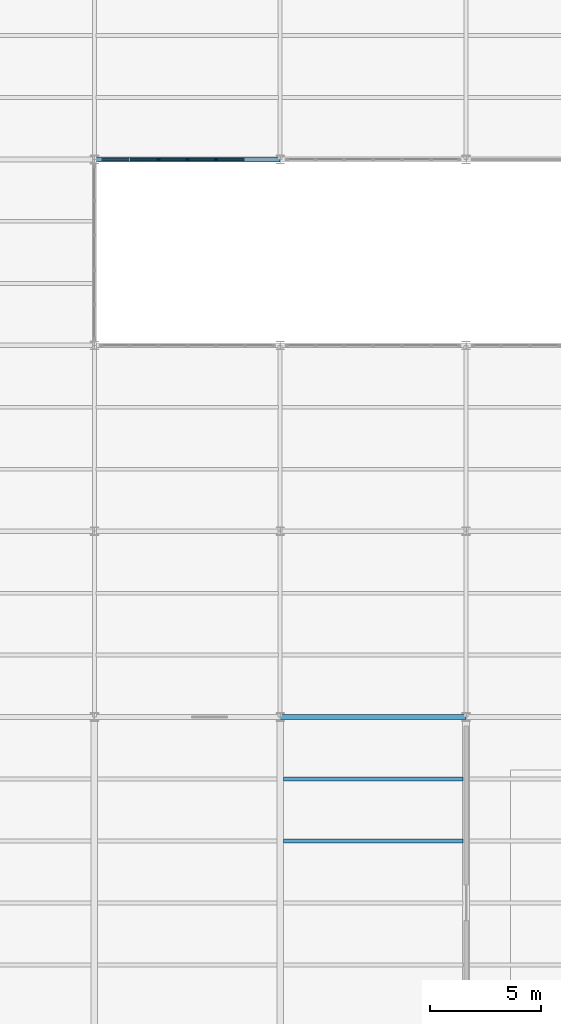
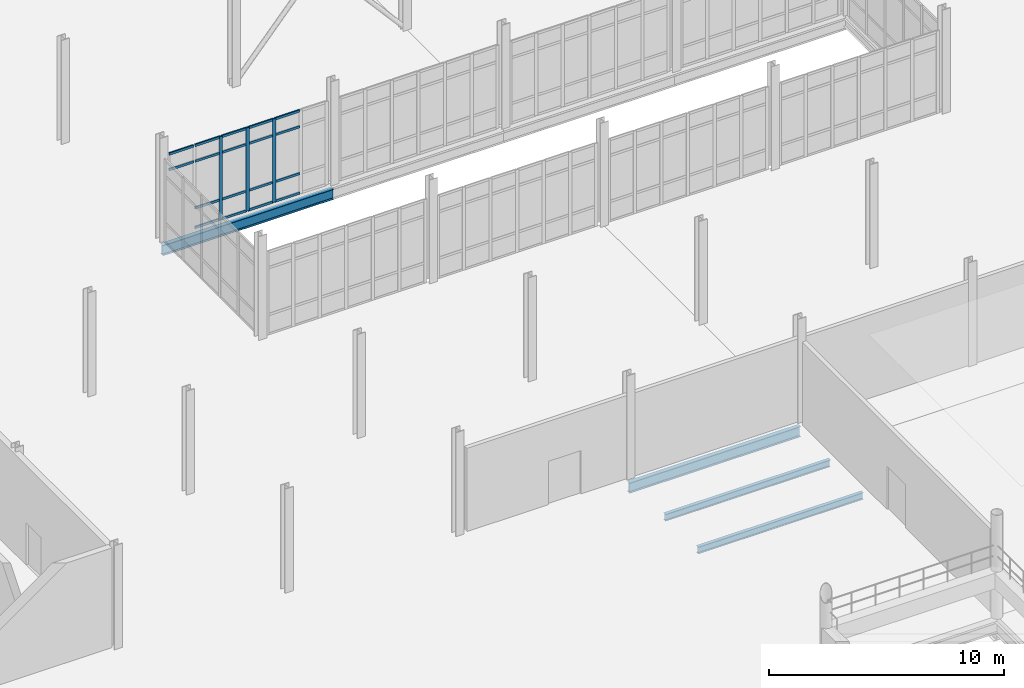
# One storey, part 31 of 111: 21 members, 4 beams, 1 element without a shape of its own.
"""IFC4 building model written with IfcOpenShell, lengths in metres."""

from ifc_helpers import new_model, si_unit, direction, frame, origin, origin_2d, place, context, subcontext, project, spatial, rectangle, i_section, extrude, material, layer, layer_set, material_profile, profile_set, type_object, element, aggregate, save


model = new_model("IFC4")

# Units and contexts
model_context = context("Model", 3, precision=1e-05, world=origin(), true_north=direction((0.0, 1.0)))
body_context = subcontext(model_context, "Body", "Model", "MODEL_VIEW")
ifc_project = project(units=[si_unit("LENGTHUNIT", "METRE"), si_unit("AREAUNIT", "SQUARE_METRE"), si_unit("VOLUMEUNIT", "CUBIC_METRE"), si_unit("PLANEANGLEUNIT", "RADIAN"), si_unit("MASSUNIT", "GRAM", prefix="KILO"), si_unit("THERMODYNAMICTEMPERATUREUNIT", "KELVIN"), si_unit("POWERUNIT", "WATT")], contexts=[model_context])

# Site, building, storey
site_placement = place(None, origin())
site = spatial("IfcSite", under=ifc_project, at=site_placement, CompositionType="ELEMENT")
building_placement = place(site_placement, origin())
building = spatial("IfcBuilding", under=site, at=building_placement, Name="Tembeka Court Mobility Hub", CompositionType="ELEMENT")
storey_placement = place(building_placement, origin())
storey = spatial("IfcBuildingStorey", under=building, at=storey_placement, Name="L00", CompositionType="ELEMENT", Elevation=0.0)

# Beams
ifc_material_1 = material(Name="Steel S355", Category="steel")
ifc_material_profile_1 = material_profile(ifc_material_1, i_section(OverallWidth=0.2099609375, OverallDepth=0.537109375, WebThickness=0.0107421875, FlangeThickness=0.017333984375, FilletRadius=0.0126953125, at=origin_2d()), Name="UKB 533x210x101")
ifc_profile_set_1 = profile_set([ifc_material_profile_1], Name="Steel S355")
beam_type_1 = type_object("IfcBeamType", Name="BM-G03", PredefinedType="USERDEFINED", material=ifc_profile_set_1)
beam_1_placement = place(storey_placement, frame((33.60009765625, 38.39990234375, -0.548583984375), z_axis=(1.0, 0.0, 0.0), x_axis=(0.0, 1.0, 0.0)))
element("IfcBeam", 1, at=beam_1_placement, inside=storey, type_object=beam_type_1, Name="Beam G03 (BM-L00-X0045)", ObjectType="GIRDER", PredefinedType="USERDEFINED", context=body_context, shape_type="SweptSolid", body=[
    extrude(i_section(OverallWidth=0.2099609375, OverallDepth=0.537109375, WebThickness=0.0107421875, FlangeThickness=0.017333984375, FilletRadius=0.0126953125, at=origin_2d()), origin(), (0.0, 0.0, 1.0), 8.39990234375),
])
beam_2_placement = place(storey_placement, frame((25.199951171875, 63.60009765625, -0.548583984375), z_axis=(1.0, 0.0, 0.0), x_axis=(0.0, 1.0, 0.0)))
element("IfcBeam", 2, at=beam_2_placement, inside=storey, type_object=beam_type_1, Name="Beam G03 (BM-L00-X0093)", ObjectType="GIRDER", PredefinedType="USERDEFINED", context=body_context, shape_type="SweptSolid", body=[
    extrude(i_section(OverallWidth=0.2099609375, OverallDepth=0.537109375, WebThickness=0.0107421875, FlangeThickness=0.017333984375, FilletRadius=0.0126953125, at=origin_2d()), origin(), (0.0, 0.0, 1.0), 8.400146484375),
])
ifc_material_profile_2 = material_profile(ifc_material_1, i_section(OverallWidth=0.172119140625, OverallDepth=0.35498046875, WebThickness=0.00732421875, FlangeThickness=0.011474609375, FilletRadius=0.01025390625, at=origin_2d()), Name="UKB 356x171x51")
ifc_profile_set_2 = profile_set([ifc_material_profile_2], Name="Steel S355")
beam_type_2 = type_object("IfcBeamType", Name="BM-J01", PredefinedType="JOIST", material=ifc_profile_set_2)
for number, where, z_axis, x_axis, name in (
    (3, (33.7451171875, 32.800048828125, -0.45751953125), (1.0, 0.0, 0.0), (0.0, 1.0, 0.0), "Beam J01 (JST-L00-0399)"),
    (4, (33.7451171875, 35.60009765625, -0.45751953125), (1.0, 0.0, 0.0), (0.0, 1.0, 0.0), "Beam J01 (JST-L00-0400)"),
):
    element("IfcBeam", number, at=place(storey_placement, frame(where, z_axis=z_axis, x_axis=x_axis)), inside=storey, type_object=beam_type_2, Name=name, PredefinedType="JOIST", context=body_context, shape_type="SweptSolid", body=[
        extrude(i_section(OverallWidth=0.172119140625, OverallDepth=0.35498046875, WebThickness=0.00732421875, FlangeThickness=0.011474609375, FilletRadius=0.01025390625, at=origin_2d()), origin(), (0.0, 0.0, 1.0), 8.10986328125),
    ])

# Curtain wall, members
ifc_material_2 = material(Name="Anodised aluminium 6063-T6", Category="aluminium")
ifc_layer = layer(ifc_material_2, 0.159912109375)
ifc_layer_set = layer_set([ifc_layer], Name="Anodised aluminium 6063-T6")
curtain_wall_type = type_object("IfcCurtainWallType", Name="CW-SYS01", PredefinedType="USERDEFINED", material=ifc_layer_set)
curtain_wall_placement = place(storey_placement, origin())
curtain_wall = element("IfcCurtainWall", 5, at=curtain_wall_placement, inside=storey, type_object=curtain_wall_type, Name="Unitised curtain wall CW01 (CW-L00-036)", ObjectType="UNITISED GLAZING", PredefinedType="USERDEFINED")
ifc_material_profile_3 = material_profile(ifc_material_2, rectangle(XDim=0.06494140625, YDim=0.159912109375, at=origin_2d()), Name="ALU-MUL 65x160")
ifc_profile_set_3 = profile_set([ifc_material_profile_3], Name="Anodised aluminium 6063-T6")
member_type_1 = type_object("IfcMemberType", Name="CW-MUL01", PredefinedType="MULLION", material=ifc_profile_set_3)
member_1_placement = place(storey_placement, frame((28.09326171875, 63.60009765625, 0.0), z_axis=(0.0, 0.0, 1.0), x_axis=(0.0, 1.0, 0.0)))
member_1 = element("IfcMember", 6, at=member_1_placement, type_object=member_type_1, Name="CW01 mullion 3", PredefinedType="MULLION", context=body_context, shape_type="SweptSolid", body=[
    extrude(rectangle(XDim=0.06494140625, YDim=0.159912109375, at=origin_2d()), origin(), (0.0, 0.0, 1.0), 4.3349609375),
])
member_2_placement = place(storey_placement, frame((29.39990234375, 63.60009765625, 0.0), z_axis=(0.0, 0.0, 1.0), x_axis=(0.0, 1.0, 0.0)))
member_2 = element("IfcMember", 7, at=member_2_placement, type_object=member_type_1, Name="CW01 mullion 4", PredefinedType="MULLION", context=body_context, shape_type="SweptSolid", body=[
    extrude(rectangle(XDim=0.06494140625, YDim=0.159912109375, at=origin_2d()), origin(), (0.0, 0.0, 1.0), 4.3349609375),
])
member_3_placement = place(storey_placement, frame((30.706787109375, 63.60009765625, 0.0), z_axis=(0.0, 0.0, 1.0), x_axis=(0.0, 1.0, 0.0)))
member_3 = element("IfcMember", 8, at=member_3_placement, type_object=member_type_1, Name="CW01 mullion 5", PredefinedType="MULLION", context=body_context, shape_type="SweptSolid", body=[
    extrude(rectangle(XDim=0.06494140625, YDim=0.159912109375, at=origin_2d()), origin(), (0.0, 0.0, 1.0), 4.3349609375),
])
ifc_material_profile_4 = material_profile(ifc_material_2, rectangle(XDim=0.06494140625, YDim=0.1201171875, at=origin_2d()), Name="ALU-TRN 65x120")
ifc_profile_set_4 = profile_set([ifc_material_profile_4], Name="Anodised aluminium 6063-T6")
member_type_2 = type_object("IfcMemberType", Name="CW-TRN01", PredefinedType="USERDEFINED", material=ifc_profile_set_4)
member_4_placement = place(storey_placement, frame((25.544921875, 63.60009765625, 3.485107421875), z_axis=(1.0, 0.0, 0.0), x_axis=(0.0, 1.0, 0.0)))
member_4 = element("IfcMember", 9, at=member_4_placement, type_object=member_type_2, Name="CW01 transom 1.3", ObjectType="TRANSOM", PredefinedType="USERDEFINED", context=body_context, shape_type="SweptSolid", body=[
    extrude(rectangle(XDim=0.06494140625, YDim=0.1201171875, at=origin_2d()), origin(), (0.0, 0.0, 1.0), 1.209228515625),
])
member_5_placement = place(storey_placement, frame((25.544921875, 63.60009765625, 4.302490234375), z_axis=(1.0, 0.0, 0.0), x_axis=(0.0, 1.0, 0.0)))
member_5 = element("IfcMember", 10, at=member_5_placement, type_object=member_type_2, Name="CW01 transom 1.4", ObjectType="TRANSOM", PredefinedType="USERDEFINED", context=body_context, shape_type="SweptSolid", body=[
    extrude(rectangle(XDim=0.06494140625, YDim=0.1201171875, at=origin_2d()), origin(), (0.0, 0.0, 1.0), 1.209228515625),
])
member_6_placement = place(storey_placement, frame((26.819091796875, 63.60009765625, 0.032470703125), z_axis=(1.0, 0.0, 0.0), x_axis=(0.0, 1.0, 0.0)))
member_6 = element("IfcMember", 11, at=member_6_placement, type_object=member_type_2, Name="CW01 transom 2.1", ObjectType="TRANSOM", PredefinedType="USERDEFINED", context=body_context, shape_type="SweptSolid", body=[
    extrude(rectangle(XDim=0.06494140625, YDim=0.1201171875, at=origin_2d()), origin(), (0.0, 0.0, 1.0), 1.24169921875),
])
member_7_placement = place(storey_placement, frame((26.819091796875, 63.60009765625, 1.050048828125), z_axis=(1.0, 0.0, 0.0), x_axis=(0.0, 1.0, 0.0)))
member_7 = element("IfcMember", 12, at=member_7_placement, type_object=member_type_2, Name="CW01 transom 2.2", ObjectType="TRANSOM", PredefinedType="USERDEFINED", context=body_context, shape_type="SweptSolid", body=[
    extrude(rectangle(XDim=0.06494140625, YDim=0.1201171875, at=origin_2d()), origin(), (0.0, 0.0, 1.0), 1.24169921875),
])
member_8_placement = place(storey_placement, frame((26.819091796875, 63.60009765625, 3.485107421875), z_axis=(1.0, 0.0, 0.0), x_axis=(0.0, 1.0, 0.0)))
member_8 = element("IfcMember", 13, at=member_8_placement, type_object=member_type_2, Name="CW01 transom 2.3", ObjectType="TRANSOM", PredefinedType="USERDEFINED", context=body_context, shape_type="SweptSolid", body=[
    extrude(rectangle(XDim=0.06494140625, YDim=0.1201171875, at=origin_2d()), origin(), (0.0, 0.0, 1.0), 1.24169921875),
])
member_9_placement = place(storey_placement, frame((26.819091796875, 63.60009765625, 4.302490234375), z_axis=(1.0, 0.0, 0.0), x_axis=(0.0, 1.0, 0.0)))
member_9 = element("IfcMember", 14, at=member_9_placement, type_object=member_type_2, Name="CW01 transom 2.4", ObjectType="TRANSOM", PredefinedType="USERDEFINED", context=body_context, shape_type="SweptSolid", body=[
    extrude(rectangle(XDim=0.06494140625, YDim=0.1201171875, at=origin_2d()), origin(), (0.0, 0.0, 1.0), 1.24169921875),
])
member_10_placement = place(storey_placement, frame((28.125732421875, 63.60009765625, 0.032470703125), z_axis=(1.0, 0.0, 0.0), x_axis=(0.0, 1.0, 0.0)))
member_10 = element("IfcMember", 15, at=member_10_placement, type_object=member_type_2, Name="CW01 transom 3.1", ObjectType="TRANSOM", PredefinedType="USERDEFINED", context=body_context, shape_type="SweptSolid", body=[
    extrude(rectangle(XDim=0.06494140625, YDim=0.1201171875, at=origin_2d()), origin(), (0.0, 0.0, 1.0), 1.24169921875),
])
member_11_placement = place(storey_placement, frame((28.125732421875, 63.60009765625, 1.050048828125), z_axis=(1.0, 0.0, 0.0), x_axis=(0.0, 1.0, 0.0)))
member_11 = element("IfcMember", 16, at=member_11_placement, type_object=member_type_2, Name="CW01 transom 3.2", ObjectType="TRANSOM", PredefinedType="USERDEFINED", context=body_context, shape_type="SweptSolid", body=[
    extrude(rectangle(XDim=0.06494140625, YDim=0.1201171875, at=origin_2d()), origin(), (0.0, 0.0, 1.0), 1.24169921875),
])
member_12_placement = place(storey_placement, frame((28.125732421875, 63.60009765625, 3.485107421875), z_axis=(1.0, 0.0, 0.0), x_axis=(0.0, 1.0, 0.0)))
member_12 = element("IfcMember", 17, at=member_12_placement, type_object=member_type_2, Name="CW01 transom 3.3", ObjectType="TRANSOM", PredefinedType="USERDEFINED", context=body_context, shape_type="SweptSolid", body=[
    extrude(rectangle(XDim=0.06494140625, YDim=0.1201171875, at=origin_2d()), origin(), (0.0, 0.0, 1.0), 1.24169921875),
])
member_13_placement = place(storey_placement, frame((28.125732421875, 63.60009765625, 4.302490234375), z_axis=(1.0, 0.0, 0.0), x_axis=(0.0, 1.0, 0.0)))
member_13 = element("IfcMember", 18, at=member_13_placement, type_object=member_type_2, Name="CW01 transom 3.4", ObjectType="TRANSOM", PredefinedType="USERDEFINED", context=body_context, shape_type="SweptSolid", body=[
    extrude(rectangle(XDim=0.06494140625, YDim=0.1201171875, at=origin_2d()), origin(), (0.0, 0.0, 1.0), 1.24169921875),
])
member_14_placement = place(storey_placement, frame((29.4326171875, 63.60009765625, 0.032470703125), z_axis=(1.0, 0.0, 0.0), x_axis=(0.0, 1.0, 0.0)))
member_14 = element("IfcMember", 19, at=member_14_placement, type_object=member_type_2, Name="CW01 transom 4.1", ObjectType="TRANSOM", PredefinedType="USERDEFINED", context=body_context, shape_type="SweptSolid", body=[
    extrude(rectangle(XDim=0.06494140625, YDim=0.1201171875, at=origin_2d()), origin(), (0.0, 0.0, 1.0), 1.241455078125),
])
member_15_placement = place(storey_placement, frame((29.4326171875, 63.60009765625, 1.050048828125), z_axis=(1.0, 0.0, 0.0), x_axis=(0.0, 1.0, 0.0)))
member_15 = element("IfcMember", 20, at=member_15_placement, type_object=member_type_2, Name="CW01 transom 4.2", ObjectType="TRANSOM", PredefinedType="USERDEFINED", context=body_context, shape_type="SweptSolid", body=[
    extrude(rectangle(XDim=0.06494140625, YDim=0.1201171875, at=origin_2d()), origin(), (0.0, 0.0, 1.0), 1.241455078125),
])
member_16_placement = place(storey_placement, frame((29.4326171875, 63.60009765625, 3.485107421875), z_axis=(1.0, 0.0, 0.0), x_axis=(0.0, 1.0, 0.0)))
member_16 = element("IfcMember", 21, at=member_16_placement, type_object=member_type_2, Name="CW01 transom 4.3", ObjectType="TRANSOM", PredefinedType="USERDEFINED", context=body_context, shape_type="SweptSolid", body=[
    extrude(rectangle(XDim=0.06494140625, YDim=0.1201171875, at=origin_2d()), origin(), (0.0, 0.0, 1.0), 1.241455078125),
])
member_17_placement = place(storey_placement, frame((29.4326171875, 63.60009765625, 4.302490234375), z_axis=(1.0, 0.0, 0.0), x_axis=(0.0, 1.0, 0.0)))
member_17 = element("IfcMember", 22, at=member_17_placement, type_object=member_type_2, Name="CW01 transom 4.4", ObjectType="TRANSOM", PredefinedType="USERDEFINED", context=body_context, shape_type="SweptSolid", body=[
    extrude(rectangle(XDim=0.06494140625, YDim=0.1201171875, at=origin_2d()), origin(), (0.0, 0.0, 1.0), 1.241455078125),
])
member_18_placement = place(storey_placement, frame((30.7392578125, 63.60009765625, 0.032470703125), z_axis=(1.0, 0.0, 0.0), x_axis=(0.0, 1.0, 0.0)))
member_18 = element("IfcMember", 23, at=member_18_placement, type_object=member_type_2, Name="CW01 transom 5.1", ObjectType="TRANSOM", PredefinedType="USERDEFINED", context=body_context, shape_type="SweptSolid", body=[
    extrude(rectangle(XDim=0.06494140625, YDim=0.1201171875, at=origin_2d()), origin(), (0.0, 0.0, 1.0), 1.241455078125),
])
member_19_placement = place(storey_placement, frame((30.7392578125, 63.60009765625, 1.050048828125), z_axis=(1.0, 0.0, 0.0), x_axis=(0.0, 1.0, 0.0)))
member_19 = element("IfcMember", 24, at=member_19_placement, type_object=member_type_2, Name="CW01 transom 5.2", ObjectType="TRANSOM", PredefinedType="USERDEFINED", context=body_context, shape_type="SweptSolid", body=[
    extrude(rectangle(XDim=0.06494140625, YDim=0.1201171875, at=origin_2d()), origin(), (0.0, 0.0, 1.0), 1.241455078125),
])
member_20_placement = place(storey_placement, frame((30.7392578125, 63.60009765625, 3.485107421875), z_axis=(1.0, 0.0, 0.0), x_axis=(0.0, 1.0, 0.0)))
member_20 = element("IfcMember", 25, at=member_20_placement, type_object=member_type_2, Name="CW01 transom 5.3", ObjectType="TRANSOM", PredefinedType="USERDEFINED", context=body_context, shape_type="SweptSolid", body=[
    extrude(rectangle(XDim=0.06494140625, YDim=0.1201171875, at=origin_2d()), origin(), (0.0, 0.0, 1.0), 1.241455078125),
])
member_21_placement = place(storey_placement, frame((30.7392578125, 63.60009765625, 4.302490234375), z_axis=(1.0, 0.0, 0.0), x_axis=(0.0, 1.0, 0.0)))
member_21 = element("IfcMember", 26, at=member_21_placement, type_object=member_type_2, Name="CW01 transom 5.4", ObjectType="TRANSOM", PredefinedType="USERDEFINED", context=body_context, shape_type="SweptSolid", body=[
    extrude(rectangle(XDim=0.06494140625, YDim=0.1201171875, at=origin_2d()), origin(), (0.0, 0.0, 1.0), 1.241455078125),
])
aggregate(curtain_wall, [member_1, member_2, member_3, member_4, member_5, member_6, member_7, member_8, member_9, member_10, member_11, member_12, member_13, member_14, member_15, member_16, member_17, member_18, member_19, member_20, member_21])

save(model, "model.ifc")
